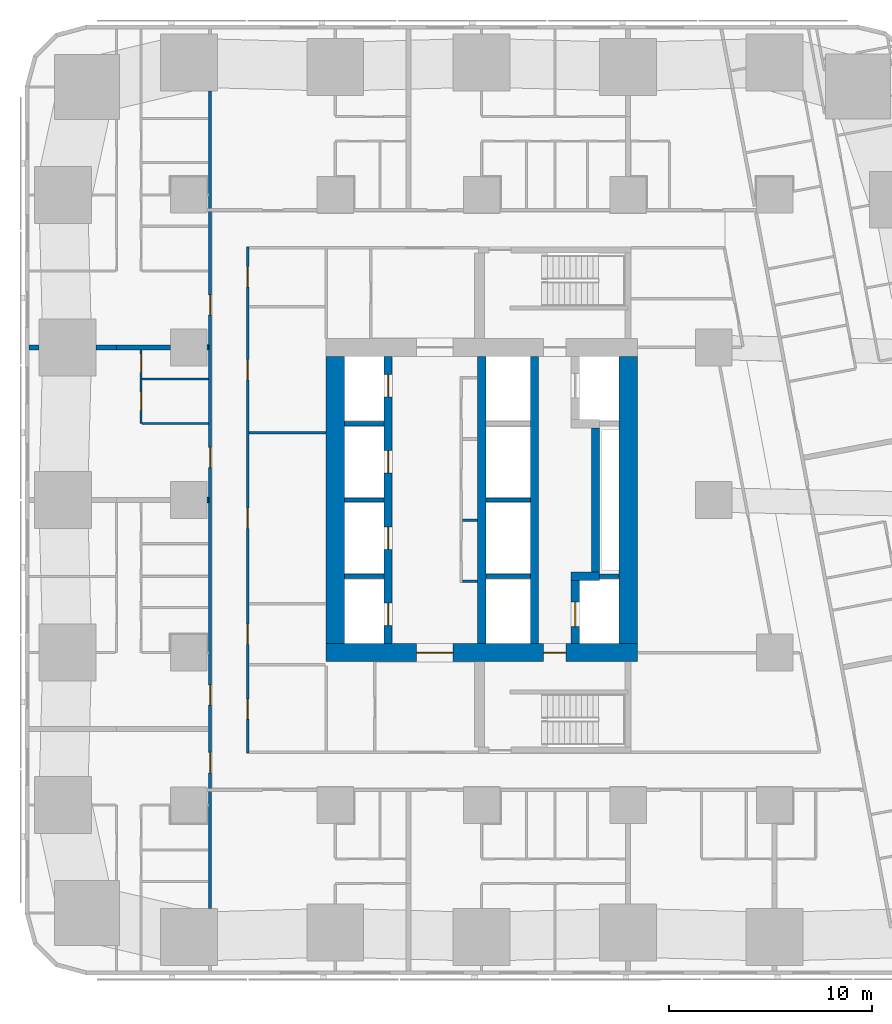
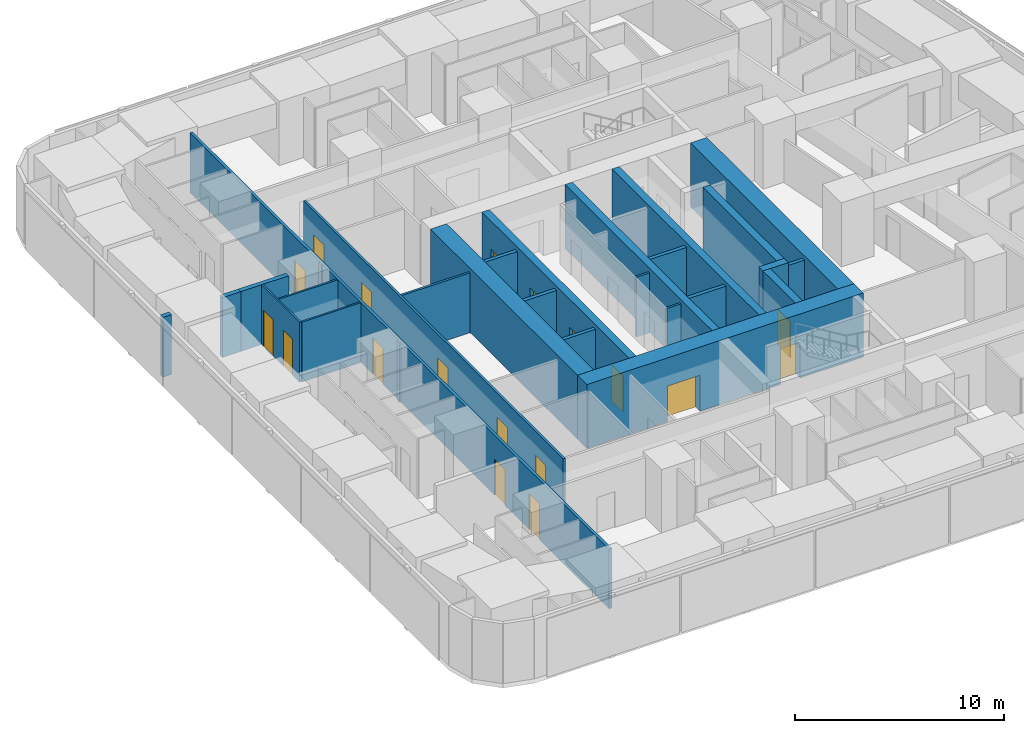
# One storey, part 6 of 16: 28 walls, 18 doors, 18 openings.
"""IFC4 building model written with IfcOpenShell, lengths in metres."""

from ifc_helpers import new_model, si_unit, direction, frame, frame_2d, origin, place, context, subcontext, project, spatial, rectangle, extrude, material, layer, layer_set, type_object, element, fill, save


model = new_model("IFC4")

# Units and contexts
model_context = context("Model", 3, precision=1e-05, world=origin(), true_north=direction((0.0, 1.0)))
body_context = subcontext(model_context, "Body", "Model", "MODEL_VIEW")
ifc_project = project(units=[si_unit("LENGTHUNIT", "METRE"), si_unit("AREAUNIT", "SQUARE_METRE"), si_unit("VOLUMEUNIT", "CUBIC_METRE"), si_unit("PLANEANGLEUNIT", "RADIAN"), si_unit("MASSUNIT", "GRAM", prefix="KILO")], contexts=[model_context])

# Site, building, storey
site_placement = place(None, origin())
site = spatial("IfcSite", under=ifc_project, at=site_placement, CompositionType="ELEMENT")
building_placement = place(site_placement, origin())
building = spatial("IfcBuilding", under=site, at=building_placement, Name="Sheger Commons Tower", CompositionType="ELEMENT")
storey_placement = place(building_placement, frame((0.0, 0.0, 61.25)))
storey = spatial("IfcBuildingStorey", under=building, at=storey_placement, Name="L15", CompositionType="ELEMENT", Elevation=61.25)

# Wall, openings, doors
ifc_material_1 = material(Name="Concrete C50/60", Category="concrete")
ifc_layer_1 = layer(ifc_material_1, 0.39990234375)
ifc_layer_set_1 = layer_set([ifc_layer_1], Name="CORE INNER WALL 400")
wall_type_1 = type_object("IfcWallType", Name="CORE INNER WALL 400", PredefinedType="SHEAR", material=ifc_layer_set_1)
wall_1_placement = place(storey_placement, frame((17.0, 15.449951171875, 0.0), z_axis=(0.0, 0.0, 1.0), x_axis=(0.0, 1.0, 0.0)))
wall_1 = element("IfcWall", 1, at=wall_1_placement, inside=storey, type_object=wall_type_1, Name="Core inner wall A L15", PredefinedType="SHEAR", context=body_context, shape_type="SweptSolid", body=[
    extrude(rectangle(XDim=14.10009765625, YDim=0.39990234375, at=frame_2d((7.050048828125, 0.0))), origin(), (0.0, 0.0, 1.0), 3.75),
])
opening_1_placement = place(wall_1_placement, frame((0.875, 0.0, 0.0)))
opening_1 = element("IfcOpeningElement", 2, at=opening_1_placement, cuts=wall_1, Name="Opening LD", PredefinedType="OPENING", context=body_context, shape_type="SweptSolid", body=[
    extrude(rectangle(XDim=1.10009765625, YDim=2.10009765625, at=frame_2d((0.550048828125, 1.050048828125))), frame((0.0, 0.2099609375, 0.0), z_axis=(0.0, -1.0, 0.0), x_axis=(1.0, 0.0, 0.0)), (0.0, 0.0, 1.0), 0.419921875),
])
opening_2_placement = place(wall_1_placement, frame((4.625, 0.0, 0.0)))
opening_2 = element("IfcOpeningElement", 3, at=opening_2_placement, cuts=wall_1, Name="Opening LD", PredefinedType="OPENING", context=body_context, shape_type="SweptSolid", body=[
    extrude(rectangle(XDim=1.10009765625, YDim=2.10009765625, at=frame_2d((0.550048828125, 1.050048828125))), frame((0.0, 0.2099609375, 0.0), z_axis=(0.0, -1.0, 0.0), x_axis=(1.0, 0.0, 0.0)), (0.0, 0.0, 1.0), 0.419921875),
])
opening_3_placement = place(wall_1_placement, frame((8.375, 0.0, 0.0)))
opening_3 = element("IfcOpeningElement", 4, at=opening_3_placement, cuts=wall_1, Name="Opening LD", PredefinedType="OPENING", context=body_context, shape_type="SweptSolid", body=[
    extrude(rectangle(XDim=1.10009765625, YDim=2.10009765625, at=frame_2d((0.550048828125, 1.050048828125))), frame((0.0, 0.2099609375, 0.0), z_axis=(0.0, -1.0, 0.0), x_axis=(1.0, 0.0, 0.0)), (0.0, 0.0, 1.0), 0.419921875),
])
opening_4_placement = place(wall_1_placement, frame((12.125, 0.0, 0.0)))
opening_4 = element("IfcOpeningElement", 5, at=opening_4_placement, cuts=wall_1, Name="Opening LD", PredefinedType="OPENING", context=body_context, shape_type="SweptSolid", body=[
    extrude(rectangle(XDim=1.10009765625, YDim=2.10009765625, at=frame_2d((0.550048828125, 1.050048828125))), frame((0.0, 0.2099609375, 0.0), z_axis=(0.0, -1.0, 0.0), x_axis=(1.0, 0.0, 0.0)), (0.0, 0.0, 1.0), 0.419921875),
])
ifc_material_2 = material(Name="Steel door set, fire rated", Category="steel")
door_type_1 = type_object("IfcDoorType", Name="LIFT LANDING DOOR 1100x2100", OperationType="DOUBLE_DOOR_SLIDING", PredefinedType="DOOR", material=ifc_material_2)
door_1_placement = place(opening_1_placement, origin())
door_1 = element("IfcDoor", 6, at=door_1_placement, inside=storey, type_object=door_type_1, Name="Lift LA1 landing door", OperationType="DOUBLE_DOOR_SLIDING", OverallHeight=2.10009765625, OverallWidth=1.10009765625, PredefinedType="DOOR", context=body_context, shape_type="SweptSolid", body=[
    extrude(rectangle(XDim=1.10009765625, YDim=2.10009765625, at=frame_2d((0.550048828125, 1.050048828125))), frame((0.0, 0.02490234375, 0.0), z_axis=(0.0, -1.0, 0.0), x_axis=(1.0, 0.0, 0.0)), (0.0, 0.0, 1.0), 0.050048828125),
])
fill(opening_1, door_1)
door_2_placement = place(opening_2_placement, origin())
door_2 = element("IfcDoor", 7, at=door_2_placement, inside=storey, type_object=door_type_1, Name="Lift LA2 landing door", OperationType="DOUBLE_DOOR_SLIDING", OverallHeight=2.10009765625, OverallWidth=1.10009765625, PredefinedType="DOOR", context=body_context, shape_type="SweptSolid", body=[
    extrude(rectangle(XDim=1.10009765625, YDim=2.10009765625, at=frame_2d((0.550048828125, 1.050048828125))), frame((0.0, 0.02490234375, 0.0), z_axis=(0.0, -1.0, 0.0), x_axis=(1.0, 0.0, 0.0)), (0.0, 0.0, 1.0), 0.050048828125),
])
fill(opening_2, door_2)
door_3_placement = place(opening_3_placement, origin())
door_3 = element("IfcDoor", 8, at=door_3_placement, inside=storey, type_object=door_type_1, Name="Lift LA3 landing door", OperationType="DOUBLE_DOOR_SLIDING", OverallHeight=2.10009765625, OverallWidth=1.10009765625, PredefinedType="DOOR", context=body_context, shape_type="SweptSolid", body=[
    extrude(rectangle(XDim=1.10009765625, YDim=2.10009765625, at=frame_2d((0.550048828125, 1.050048828125))), frame((0.0, 0.02490234375, 0.0), z_axis=(0.0, -1.0, 0.0), x_axis=(1.0, 0.0, 0.0)), (0.0, 0.0, 1.0), 0.050048828125),
])
fill(opening_3, door_3)
door_4_placement = place(opening_4_placement, origin())
door_4 = element("IfcDoor", 9, at=door_4_placement, inside=storey, type_object=door_type_1, Name="Lift LA4 landing door", OperationType="DOUBLE_DOOR_SLIDING", OverallHeight=2.10009765625, OverallWidth=1.10009765625, PredefinedType="DOOR", context=body_context, shape_type="SweptSolid", body=[
    extrude(rectangle(XDim=1.10009765625, YDim=2.10009765625, at=frame_2d((0.550048828125, 1.050048828125))), frame((0.0, 0.02490234375, 0.0), z_axis=(0.0, -1.0, 0.0), x_axis=(1.0, 0.0, 0.0)), (0.0, 0.0, 1.0), 0.050048828125),
])
fill(opening_4, door_4)

# Walls
for number, where, z_axis, x_axis, name in (
    (10, (21.60009765625, 15.449951171875, 0.0), (0.0, 0.0, 1.0), (0.0, 1.0, 0.0), "Core inner wall L L15"),
    (11, (24.199951171875, 15.449951171875, 0.0), (0.0, 0.0, 1.0), (0.0, 1.0, 0.0), "Core inner wall B L15"),
):
    element("IfcWall", number, at=place(storey_placement, frame(where, z_axis=z_axis, x_axis=x_axis)), inside=storey, type_object=wall_type_1, Name=name, PredefinedType="SHEAR", context=body_context, shape_type="SweptSolid", body=[
        extrude(rectangle(XDim=14.10009765625, YDim=0.39990234375, at=frame_2d((7.050048828125, 0.0))), origin(), (0.0, 0.0, 1.0), 3.75),
    ])

# Wall, opening, door
wall_2_placement = place(storey_placement, frame((26.199951171875, 15.449951171875, 0.0), z_axis=(0.0, 0.0, 1.0), x_axis=(0.0, 1.0, 0.0)))
wall_2 = element("IfcWall", 12, at=wall_2_placement, inside=storey, type_object=wall_type_1, Name="Core inner wall F L15", PredefinedType="SHEAR", context=body_context, shape_type="SweptSolid", body=[
    extrude(rectangle(XDim=3.10009765625, YDim=0.39990234375, at=frame_2d((1.550048828125, 0.0))), origin(), (0.0, 0.0, 1.0), 3.75),
])
opening_5_placement = place(wall_2_placement, frame((0.824951171875, 0.0, 0.0)))
opening_5 = element("IfcOpeningElement", 13, at=opening_5_placement, cuts=wall_2, Name="Opening LD2", PredefinedType="OPENING", context=body_context, shape_type="SweptSolid", body=[
    extrude(rectangle(XDim=1.199951171875, YDim=2.10009765625, at=frame_2d((0.60009765625, 1.050048828125))), frame((0.0, 0.2099609375, 0.0), z_axis=(0.0, -1.0, 0.0), x_axis=(1.0, 0.0, 0.0)), (0.0, 0.0, 1.0), 0.419921875),
])
ifc_material_3 = material(Name="Steel door set, fire rated", Category="steel")
door_type_2 = type_object("IfcDoorType", Name="FIREFIGHTING LIFT LANDING DOOR 1200x2100", OperationType="DOUBLE_DOOR_SLIDING", PredefinedType="DOOR", material=ifc_material_3)
door_5_placement = place(opening_5_placement, origin())
door_5 = element("IfcDoor", 14, at=door_5_placement, inside=storey, type_object=door_type_2, Name="Lift FL1 landing door", OperationType="DOUBLE_DOOR_SLIDING", OverallHeight=2.10009765625, OverallWidth=1.199951171875, PredefinedType="DOOR", context=body_context, shape_type="SweptSolid", body=[
    extrude(rectangle(XDim=1.199951171875, YDim=2.10009765625, at=frame_2d((0.60009765625, 1.050048828125))), frame((0.0, 0.02490234375, 0.0), z_axis=(0.0, -1.0, 0.0), x_axis=(1.0, 0.0, 0.0)), (0.0, 0.0, 1.0), 0.050048828125),
])
fill(opening_5, door_5)

# Walls
wall_3_placement = place(storey_placement, frame((26.0, 18.75, 0.0), z_axis=(0.0, 0.0, 1.0), x_axis=(1.0, 0.0, 0.0)))
element("IfcWall", 15, at=wall_3_placement, inside=storey, type_object=wall_type_1, Name="Core inner wall F south return L15", PredefinedType="SHEAR", context=body_context, shape_type="SweptSolid", body=[
    extrude(rectangle(XDim=1.39990234375, YDim=0.39990234375, at=frame_2d((0.699951171875, 0.0))), origin(), (0.0, 0.0, 1.0), 3.75),
])
wall_4_placement = place(storey_placement, frame((27.199951171875, 18.949951171875, 0.0), z_axis=(0.0, 0.0, 1.0), x_axis=(0.0, 1.0, 0.0)))
element("IfcWall", 16, at=wall_4_placement, inside=storey, type_object=wall_type_1, Name="Core inner wall F middle L15", PredefinedType="SHEAR", context=body_context, shape_type="SweptSolid", body=[
    extrude(rectangle(XDim=7.10009765625, YDim=0.39990234375, at=frame_2d((3.550048828125, 0.0))), origin(), (0.0, 0.0, 1.0), 3.75),
])

# Wall, openings, doors
ifc_material_4 = material(Name="Concrete C50/60", Category="concrete")
ifc_layer_2 = layer(ifc_material_4, 0.89990234375)
ifc_layer_set_2 = layer_set([ifc_layer_2], Name="CORE WALL 900")
wall_type_2 = type_object("IfcWallType", Name="CORE WALL 900", PredefinedType="SHEAR", material=ifc_layer_set_2)
wall_5_placement = place(storey_placement, frame((13.949951171875, 15.0, 0.0), z_axis=(0.0, 0.0, 1.0), x_axis=(1.0, 0.0, 0.0)))
wall_5 = element("IfcWall", 17, at=wall_5_placement, inside=storey, type_object=wall_type_2, Name="Core wall south L15", PredefinedType="SHEAR", context=body_context, shape_type="SweptSolid", body=[
    extrude(rectangle(XDim=15.300048828125, YDim=0.89990234375, at=frame_2d((7.64990234375, 0.0))), origin(), (0.0, 0.0, 1.0), 3.75),
])
opening_6_placement = place(wall_5_placement, frame((4.449951171875, 0.0, 0.0)))
opening_6 = element("IfcOpeningElement", 18, at=opening_6_placement, cuts=wall_5, Name="Opening D6", PredefinedType="OPENING", context=body_context, shape_type="SweptSolid", body=[
    extrude(rectangle(XDim=1.800048828125, YDim=2.10009765625, at=frame_2d((0.89990234375, 1.050048828125))), frame((0.0, 0.4599609375, 0.0), z_axis=(0.0, -1.0, 0.0), x_axis=(1.0, 0.0, 0.0)), (0.0, 0.0, 1.0), 0.919921875),
])
opening_7_placement = place(wall_5_placement, frame((10.699951171875, 0.0, 0.0)))
opening_7 = element("IfcOpeningElement", 19, at=opening_7_placement, cuts=wall_5, Name="Opening D5", PredefinedType="OPENING", context=body_context, shape_type="SweptSolid", body=[
    extrude(rectangle(XDim=1.10009765625, YDim=2.10009765625, at=frame_2d((0.550048828125, 1.050048828125))), frame((0.0, 0.4599609375, 0.0), z_axis=(0.0, -1.0, 0.0), x_axis=(1.0, 0.0, 0.0)), (0.0, 0.0, 1.0), 0.919921875),
])
ifc_material_5 = material(Name="Steel door set, fire rated", Category="steel")
door_type_3 = type_object("IfcDoorType", Name="LOBBY DOUBLE DOOR 1800x2100", OperationType="DOUBLE_DOOR_SINGLE_SWING", PredefinedType="DOOR", material=ifc_material_5)
door_6_placement = place(opening_6_placement, origin())
door_6 = element("IfcDoor", 20, at=door_6_placement, inside=storey, type_object=door_type_3, Name="Lift lobby door", OperationType="DOUBLE_DOOR_SINGLE_SWING", OverallHeight=2.10009765625, OverallWidth=1.800048828125, PredefinedType="DOOR", context=body_context, shape_type="SweptSolid", body=[
    extrude(rectangle(XDim=1.800048828125, YDim=2.10009765625, at=frame_2d((0.89990234375, 1.050048828125))), frame((0.0, 0.02490234375, 0.0), z_axis=(0.0, -1.0, 0.0), x_axis=(1.0, 0.0, 0.0)), (0.0, 0.0, 1.0), 0.050048828125),
])
fill(opening_6, door_6)
ifc_material_6 = material(Name="Steel door set, fire rated", Category="steel")
door_type_4 = type_object("IfcDoorType", Name="STAIR DOOR 1100x2100", OperationType="NOTDEFINED", PredefinedType="DOOR", material=ifc_material_6)
door_7_placement = place(opening_7_placement, origin())
door_7 = element("IfcDoor", 21, at=door_7_placement, inside=storey, type_object=door_type_4, Name="Fire-fighting lobby door", OperationType="SINGLE_SWING_LEFT", OverallHeight=2.10009765625, OverallWidth=1.10009765625, PredefinedType="DOOR", context=body_context, shape_type="SweptSolid", body=[
    extrude(rectangle(XDim=1.10009765625, YDim=2.10009765625, at=frame_2d((0.550048828125, 1.050048828125))), frame((0.0, 0.02490234375, 0.0), z_axis=(0.0, -1.0, 0.0), x_axis=(1.0, 0.0, 0.0)), (0.0, 0.0, 1.0), 0.050048828125),
])
fill(opening_7, door_7)

# Walls
for number, where, z_axis, x_axis, name in (
    (22, (14.39990234375, 15.449951171875, 0.0), (0.0, 0.0, 1.0), (0.0, 1.0, 0.0), "Core wall west L15"),
    (23, (28.800048828125, 15.449951171875, 0.0), (0.0, 0.0, 1.0), (0.0, 1.0, 0.0), "Core wall east L15"),
):
    element("IfcWall", number, at=place(storey_placement, frame(where, z_axis=z_axis, x_axis=x_axis)), inside=storey, type_object=wall_type_2, Name=name, PredefinedType="SHEAR", context=body_context, shape_type="SweptSolid", body=[
        extrude(rectangle(XDim=14.10009765625, YDim=0.89990234375, at=frame_2d((7.050048828125, 0.0))), origin(), (0.0, 0.0, 1.0), 3.75),
    ])

# Wall, openings, doors
ifc_material_7 = material(Name="Hollow concrete block masonry, skimmed both sides", Category="masonry")
ifc_layer_3 = layer(ifc_material_7, 0.14990234375)
ifc_layer_set_3 = layer_set([ifc_layer_3], Name="CORRIDOR WALL 150")
wall_type_3 = type_object("IfcWallType", Name="CORRIDOR WALL 150", PredefinedType="SOLIDWALL", material=ifc_layer_set_3)
wall_6_placement = place(storey_placement, frame((8.25, 2.426025390625, 0.0), z_axis=(0.0, 0.0, 1.0), x_axis=(0.0, 1.0, 0.0)))
wall_6 = element("IfcWall", 24, at=wall_6_placement, inside=storey, type_object=wall_type_3, Name="Corridor wall L15", PredefinedType="SOLIDWALL", context=body_context, shape_type="SweptSolid", body=[
    extrude(rectangle(XDim=40.173095703125, YDim=0.14990234375, at=frame_2d((20.08642578125, 0.0))), origin(), (0.0, 0.0, 1.0), 3.5),
])
opening_8_placement = place(wall_6_placement, frame((6.660888671875, 0.0, 0.0)))
opening_8 = element("IfcOpeningElement", 25, at=opening_8_placement, cuts=wall_6, Name="Opening D1", PredefinedType="OPENING", context=body_context, shape_type="SweptSolid", body=[
    extrude(rectangle(XDim=1.0, YDim=2.10009765625, at=frame_2d((0.5, 1.050048828125))), frame((0.0, 0.0849609375, 0.0), z_axis=(0.0, -1.0, 0.0), x_axis=(1.0, 0.0, 0.0)), (0.0, 0.0, 1.0), 0.169921875),
])
opening_9_placement = place(wall_6_placement, frame((9.986083984375, 0.0, 0.0)))
opening_9 = element("IfcOpeningElement", 26, at=opening_9_placement, cuts=wall_6, Name="Opening D1", PredefinedType="OPENING", context=body_context, shape_type="SweptSolid", body=[
    extrude(rectangle(XDim=1.0, YDim=2.10009765625, at=frame_2d((0.5, 1.050048828125))), frame((0.0, 0.0849609375, 0.0), z_axis=(0.0, -1.0, 0.0), x_axis=(1.0, 0.0, 0.0)), (0.0, 0.0, 1.0), 0.169921875),
])
opening_10_placement = place(wall_6_placement, frame((21.662109375, 0.0, 0.0)))
opening_10 = element("IfcOpeningElement", 27, at=opening_10_placement, cuts=wall_6, Name="Opening D1", PredefinedType="OPENING", context=body_context, shape_type="SweptSolid", body=[
    extrude(rectangle(XDim=1.0, YDim=2.10009765625, at=frame_2d((0.5, 1.050048828125))), frame((0.0, 0.0849609375, 0.0), z_axis=(0.0, -1.0, 0.0), x_axis=(1.0, 0.0, 0.0)), (0.0, 0.0, 1.0), 0.169921875),
])
opening_11_placement = place(wall_6_placement, frame((29.160888671875, 0.0, 0.0)))
opening_11 = element("IfcOpeningElement", 28, at=opening_11_placement, cuts=wall_6, Name="Opening D1", PredefinedType="OPENING", context=body_context, shape_type="SweptSolid", body=[
    extrude(rectangle(XDim=1.0, YDim=2.10009765625, at=frame_2d((0.5, 1.050048828125))), frame((0.0, 0.0849609375, 0.0), z_axis=(0.0, -1.0, 0.0), x_axis=(1.0, 0.0, 0.0)), (0.0, 0.0, 1.0), 0.169921875),
])
ifc_material_8 = material(Name="Steel door set, fire rated", Category="steel")
door_type_5 = type_object("IfcDoorType", Name="FLAT ENTRANCE DOOR 1000x2100", OperationType="NOTDEFINED", PredefinedType="DOOR", material=ifc_material_8)
door_8_placement = place(opening_8_placement, origin())
door_8 = element("IfcDoor", 29, at=door_8_placement, inside=storey, type_object=door_type_5, Name="Flat entrance door", OperationType="SINGLE_SWING_RIGHT", OverallHeight=2.10009765625, OverallWidth=1.0, PredefinedType="DOOR", context=body_context, shape_type="SweptSolid", body=[
    extrude(rectangle(XDim=1.0, YDim=2.10009765625, at=frame_2d((0.5, 1.050048828125))), frame((0.0, 0.02490234375, 0.0), z_axis=(0.0, -1.0, 0.0), x_axis=(1.0, 0.0, 0.0)), (0.0, 0.0, 1.0), 0.050048828125),
])
fill(opening_8, door_8)
door_9_placement = place(opening_9_placement, origin())
door_9 = element("IfcDoor", 30, at=door_9_placement, inside=storey, type_object=door_type_5, Name="Flat entrance door", OperationType="SINGLE_SWING_LEFT", OverallHeight=2.10009765625, OverallWidth=1.0, PredefinedType="DOOR", context=body_context, shape_type="SweptSolid", body=[
    extrude(rectangle(XDim=1.0, YDim=2.10009765625, at=frame_2d((0.5, 1.050048828125))), frame((0.0, 0.02490234375, 0.0), z_axis=(0.0, -1.0, 0.0), x_axis=(1.0, 0.0, 0.0)), (0.0, 0.0, 1.0), 0.050048828125),
])
fill(opening_9, door_9)
door_10_placement = place(opening_10_placement, origin())
door_10 = element("IfcDoor", 31, at=door_10_placement, inside=storey, type_object=door_type_5, Name="Flat entrance door", OperationType="SINGLE_SWING_RIGHT", OverallHeight=2.10009765625, OverallWidth=1.0, PredefinedType="DOOR", context=body_context, shape_type="SweptSolid", body=[
    extrude(rectangle(XDim=1.0, YDim=2.10009765625, at=frame_2d((0.5, 1.050048828125))), frame((0.0, 0.02490234375, 0.0), z_axis=(0.0, -1.0, 0.0), x_axis=(1.0, 0.0, 0.0)), (0.0, 0.0, 1.0), 0.050048828125),
])
fill(opening_10, door_10)
door_11_placement = place(opening_11_placement, origin())
door_11 = element("IfcDoor", 32, at=door_11_placement, inside=storey, type_object=door_type_5, Name="Flat entrance door", OperationType="SINGLE_SWING_RIGHT", OverallHeight=2.10009765625, OverallWidth=1.0, PredefinedType="DOOR", context=body_context, shape_type="SweptSolid", body=[
    extrude(rectangle(XDim=1.0, YDim=2.10009765625, at=frame_2d((0.5, 1.050048828125))), frame((0.0, 0.02490234375, 0.0), z_axis=(0.0, -1.0, 0.0), x_axis=(1.0, 0.0, 0.0)), (0.0, 0.0, 1.0), 0.050048828125),
])
fill(opening_11, door_11)

# Walls
ifc_material_9 = material(Name="Dense concrete block masonry, plastered both sides (separating wall between flats)", Category="masonry")
ifc_layer_4 = layer(ifc_material_9, 0.25)
ifc_layer_set_4 = layer_set([ifc_layer_4], Name="DEMISING WALL 250")
wall_type_4 = type_object("IfcWallType", Name="DEMISING WALL 250", PredefinedType="SOLIDWALL", material=ifc_layer_set_4)
wall_7_placement = place(storey_placement, frame((8.10107421875, 22.5, 0.0), z_axis=(0.0, 0.0, 1.0), x_axis=(1.0, 0.0, 0.0)))
element("IfcWall", 33, at=wall_7_placement, inside=storey, type_object=wall_type_4, Name="Demising wall L15", PredefinedType="SOLIDWALL", context=body_context, shape_type="SweptSolid", body=[
    extrude(rectangle(XDim=0.073974609375, YDim=0.25, at=frame_2d((0.037109375, 0.0))), origin(), (0.0, 0.0, 1.0), 3.5),
])
wall_8_placement = place(storey_placement, frame((-0.64990234375, 30.0, 0.0), z_axis=(0.0, 0.0, 1.0), x_axis=(1.0, 0.0, 0.0)))
element("IfcWall", 34, at=wall_8_placement, inside=storey, type_object=wall_type_4, Name="Demising wall L15", PredefinedType="SOLIDWALL", context=body_context, shape_type="SweptSolid", body=[
    extrude(rectangle(XDim=0.473876953125, YDim=0.25, at=frame_2d((0.23681640625, 0.0))), origin(), (0.0, 0.0, 1.0), 3.5),
])
wall_9_placement = place(storey_placement, frame((2.6259765625, 30.0, 0.0), z_axis=(0.0, 0.0, 1.0), x_axis=(1.0, 0.0, 0.0)))
element("IfcWall", 35, at=wall_9_placement, inside=storey, type_object=wall_type_4, Name="Demising wall L15", PredefinedType="SOLIDWALL", context=body_context, shape_type="SweptSolid", body=[
    extrude(rectangle(XDim=1.02392578125, YDim=0.25, at=frame_2d((0.511962890625, 0.0))), origin(), (0.0, 0.0, 1.0), 3.5),
])
wall_10_placement = place(storey_placement, frame((3.64990234375, 30.0, 0.0), z_axis=(0.0, 0.0, 1.0), x_axis=(1.0, 0.0, 0.0)))
element("IfcWall", 36, at=wall_10_placement, inside=storey, type_object=wall_type_4, Name="Demising wall L15", PredefinedType="SOLIDWALL", context=body_context, shape_type="SweptSolid", body=[
    extrude(rectangle(XDim=2.649169921875, YDim=0.25, at=frame_2d((1.32470703125, 0.0))), origin(), (0.0, 0.0, 1.0), 3.5),
])
wall_11_placement = place(storey_placement, frame((8.10107421875, 30.0, 0.0), z_axis=(0.0, 0.0, 1.0), x_axis=(1.0, 0.0, 0.0)))
element("IfcWall", 37, at=wall_11_placement, inside=storey, type_object=wall_type_4, Name="Demising wall L15", PredefinedType="SOLIDWALL", context=body_context, shape_type="SweptSolid", body=[
    extrude(rectangle(XDim=0.073974609375, YDim=0.25, at=frame_2d((0.037109375, 0.0))), origin(), (0.0, 0.0, 1.0), 3.5),
])

# Wall, openings, doors
ifc_material_10 = material(Name="Gypsum board on steel studs", Category="steel")
ifc_layer_5 = layer(ifc_material_10, 0.10009765625)
ifc_layer_set_5 = layer_set([ifc_layer_5], Name="PARTITION 100")
wall_type_5 = type_object("IfcWallType", Name="PARTITION 100", PredefinedType="PARTITIONING", material=ifc_layer_set_5)
wall_12_placement = place(storey_placement, frame((4.85009765625, 26.25, 0.0), z_axis=(0.0, 0.0, 1.0), x_axis=(0.0, 1.0, 0.0)))
wall_12 = element("IfcWall", 38, at=wall_12_placement, inside=storey, type_object=wall_type_5, Name="Partition L15", PredefinedType="PARTITIONING", context=body_context, shape_type="SweptSolid", body=[
    extrude(rectangle(XDim=3.625, YDim=0.10009765625, at=frame_2d((1.8125, 0.0))), origin(), (0.0, 0.0, 1.0), 3.5),
])
opening_12_placement = place(wall_12_placement, frame((0.655029296875, 0.0, 0.0)))
opening_12 = element("IfcOpeningElement", 39, at=opening_12_placement, cuts=wall_12, Name="Opening D2", PredefinedType="OPENING", context=body_context, shape_type="SweptSolid", body=[
    extrude(rectangle(XDim=0.89990234375, YDim=2.10009765625, at=frame_2d((0.449951171875, 1.050048828125))), frame((0.0, 0.06005859375, 0.0), z_axis=(0.0, -1.0, 0.0), x_axis=(1.0, 0.0, 0.0)), (0.0, 0.0, 1.0), 0.1201171875),
])
opening_13_placement = place(wall_12_placement, frame((2.530029296875, 0.0, 0.0)))
opening_13 = element("IfcOpeningElement", 40, at=opening_13_placement, cuts=wall_12, Name="Opening D2", PredefinedType="OPENING", context=body_context, shape_type="SweptSolid", body=[
    extrude(rectangle(XDim=0.89990234375, YDim=2.10009765625, at=frame_2d((0.449951171875, 1.050048828125))), frame((0.0, 0.06005859375, 0.0), z_axis=(0.0, -1.0, 0.0), x_axis=(1.0, 0.0, 0.0)), (0.0, 0.0, 1.0), 0.1201171875),
])
ifc_material_11 = material(Name="Timber door set", Category="wood")
door_type_6 = type_object("IfcDoorType", Name="INTERNAL DOOR 900x2100", OperationType="NOTDEFINED", PredefinedType="DOOR", material=ifc_material_11)
door_12_placement = place(opening_12_placement, origin())
door_12 = element("IfcDoor", 41, at=door_12_placement, inside=storey, type_object=door_type_6, Name="Bathroom door", OperationType="SINGLE_SWING_RIGHT", OverallHeight=2.10009765625, OverallWidth=0.89990234375, PredefinedType="DOOR", context=body_context, shape_type="SweptSolid", body=[
    extrude(rectangle(XDim=0.89990234375, YDim=2.10009765625, at=frame_2d((0.449951171875, 1.050048828125))), frame((0.0, 0.02490234375, 0.0), z_axis=(0.0, -1.0, 0.0), x_axis=(1.0, 0.0, 0.0)), (0.0, 0.0, 1.0), 0.050048828125),
])
fill(opening_12, door_12)
door_13_placement = place(opening_13_placement, origin())
door_13 = element("IfcDoor", 42, at=door_13_placement, inside=storey, type_object=door_type_6, Name="Store door", OperationType="SINGLE_SWING_LEFT", OverallHeight=2.10009765625, OverallWidth=0.89990234375, PredefinedType="DOOR", context=body_context, shape_type="SweptSolid", body=[
    extrude(rectangle(XDim=0.89990234375, YDim=2.10009765625, at=frame_2d((0.449951171875, 1.050048828125))), frame((0.0, 0.02490234375, 0.0), z_axis=(0.0, -1.0, 0.0), x_axis=(1.0, 0.0, 0.0)), (0.0, 0.0, 1.0), 0.050048828125),
])
fill(opening_13, door_13)

# Walls
for number, where, z_axis, x_axis, name in (
    (43, (4.89990234375, 26.25, 0.0), (0.0, 0.0, 1.0), (1.0, 0.0, 0.0), "Partition L15"),
    (44, (4.89990234375, 28.4599609375, 0.0), (0.0, 0.0, 1.0), (1.0, 0.0, 0.0), "Partition L15"),
):
    element("IfcWall", number, at=place(storey_placement, frame(where, z_axis=z_axis, x_axis=x_axis)), inside=storey, type_object=wall_type_5, Name=name, PredefinedType="PARTITIONING", context=body_context, shape_type="SweptSolid", body=[
        extrude(rectangle(XDim=3.275146484375, YDim=0.10009765625, at=frame_2d((1.6376953125, 0.0))), origin(), (0.0, 0.0, 1.0), 3.5),
    ])

# Wall, openings, doors
ifc_material_12 = material(Name="Gypsum board on steel studs, two layers each side, fire rated", Category="steel")
ifc_layer_6 = layer(ifc_material_12, 0.125)
ifc_layer_set_6 = layer_set([ifc_layer_6], Name="SERVICE WALL 125")
wall_type_6 = type_object("IfcWallType", Name="SERVICE WALL 125", PredefinedType="PARTITIONING", material=ifc_layer_set_6)
wall_13_placement = place(storey_placement, frame((10.10009765625, 10.050048828125, 0.0), z_axis=(0.0, 0.0, 1.0), x_axis=(0.0, 1.0, 0.0)))
wall_13 = element("IfcWall", 45, at=wall_13_placement, inside=storey, type_object=wall_type_6, Name="Service room wall L15", PredefinedType="PARTITIONING", context=body_context, shape_type="SweptSolid", body=[
    extrude(rectangle(XDim=24.89990234375, YDim=0.125, at=frame_2d((12.449951171875, 0.0))), origin(), (0.0, 0.0, 1.0), 3.5),
])
opening_14_placement = place(wall_13_placement, frame((1.675048828125, 0.0, 0.0)))
opening_14 = element("IfcOpeningElement", 46, at=opening_14_placement, cuts=wall_13, Name="Opening D4", PredefinedType="OPENING", context=body_context, shape_type="SweptSolid", body=[
    extrude(rectangle(XDim=1.0, YDim=2.10009765625, at=frame_2d((0.5, 1.050048828125))), frame((0.0, 0.072509765625, 0.0), z_axis=(0.0, -1.0, 0.0), x_axis=(1.0, 0.0, 0.0)), (0.0, 0.0, 1.0), 0.14501953125),
])
opening_15_placement = place(wall_13_placement, frame((5.35009765625, 0.0, 0.0)))
opening_15 = element("IfcOpeningElement", 47, at=opening_15_placement, cuts=wall_13, Name="Opening D4", PredefinedType="OPENING", context=body_context, shape_type="SweptSolid", body=[
    extrude(rectangle(XDim=1.0, YDim=2.10009765625, at=frame_2d((0.5, 1.050048828125))), frame((0.0, 0.072509765625, 0.0), z_axis=(0.0, -1.0, 0.0), x_axis=(1.0, 0.0, 0.0)), (0.0, 0.0, 1.0), 0.14501953125),
])
opening_16_placement = place(wall_13_placement, frame((11.050048828125, 0.0, 0.0)))
opening_16 = element("IfcOpeningElement", 48, at=opening_16_placement, cuts=wall_13, Name="Opening D4", PredefinedType="OPENING", context=body_context, shape_type="SweptSolid", body=[
    extrude(rectangle(XDim=1.0, YDim=2.10009765625, at=frame_2d((0.5, 1.050048828125))), frame((0.0, 0.072509765625, 0.0), z_axis=(0.0, -1.0, 0.0), x_axis=(1.0, 0.0, 0.0)), (0.0, 0.0, 1.0), 0.14501953125),
])
opening_17_placement = place(wall_13_placement, frame((18.35009765625, 0.0, 0.0)))
opening_17 = element("IfcOpeningElement", 49, at=opening_17_placement, cuts=wall_13, Name="Opening D4", PredefinedType="OPENING", context=body_context, shape_type="SweptSolid", body=[
    extrude(rectangle(XDim=1.0, YDim=2.10009765625, at=frame_2d((0.5, 1.050048828125))), frame((0.0, 0.072509765625, 0.0), z_axis=(0.0, -1.0, 0.0), x_axis=(1.0, 0.0, 0.0)), (0.0, 0.0, 1.0), 0.14501953125),
])
opening_18_placement = place(wall_13_placement, frame((22.925048828125, 0.0, 0.0)))
opening_18 = element("IfcOpeningElement", 50, at=opening_18_placement, cuts=wall_13, Name="Opening D4", PredefinedType="OPENING", context=body_context, shape_type="SweptSolid", body=[
    extrude(rectangle(XDim=1.0, YDim=2.10009765625, at=frame_2d((0.5, 1.050048828125))), frame((0.0, 0.072509765625, 0.0), z_axis=(0.0, -1.0, 0.0), x_axis=(1.0, 0.0, 0.0)), (0.0, 0.0, 1.0), 0.14501953125),
])
ifc_material_13 = material(Name="Steel door set, fire rated", Category="steel")
door_type_7 = type_object("IfcDoorType", Name="SERVICE DOOR 1000x2100", OperationType="NOTDEFINED", PredefinedType="DOOR", material=ifc_material_13)
door_14_placement = place(opening_14_placement, origin())
door_14 = element("IfcDoor", 51, at=door_14_placement, inside=storey, type_object=door_type_7, Name="Refuse chute room door", OperationType="SINGLE_SWING_RIGHT", OverallHeight=2.10009765625, OverallWidth=1.0, PredefinedType="DOOR", context=body_context, shape_type="SweptSolid", body=[
    extrude(rectangle(XDim=1.0, YDim=2.10009765625, at=frame_2d((0.5, 1.050048828125))), frame((0.0, 0.02490234375, 0.0), z_axis=(0.0, -1.0, 0.0), x_axis=(1.0, 0.0, 0.0)), (0.0, 0.0, 1.0), 0.050048828125),
])
fill(opening_14, door_14)
door_15_placement = place(opening_15_placement, origin())
door_15 = element("IfcDoor", 52, at=door_15_placement, inside=storey, type_object=door_type_7, Name="Recycling room door", OperationType="SINGLE_SWING_RIGHT", OverallHeight=2.10009765625, OverallWidth=1.0, PredefinedType="DOOR", context=body_context, shape_type="SweptSolid", body=[
    extrude(rectangle(XDim=1.0, YDim=2.10009765625, at=frame_2d((0.5, 1.050048828125))), frame((0.0, 0.02490234375, 0.0), z_axis=(0.0, -1.0, 0.0), x_axis=(1.0, 0.0, 0.0)), (0.0, 0.0, 1.0), 0.050048828125),
])
fill(opening_15, door_15)
door_16_placement = place(opening_16_placement, origin())
door_16 = element("IfcDoor", 53, at=door_16_placement, inside=storey, type_object=door_type_7, Name="Children's play room door", OperationType="SINGLE_SWING_RIGHT", OverallHeight=2.10009765625, OverallWidth=1.0, PredefinedType="DOOR", context=body_context, shape_type="SweptSolid", body=[
    extrude(rectangle(XDim=1.0, YDim=2.10009765625, at=frame_2d((0.5, 1.050048828125))), frame((0.0, 0.02490234375, 0.0), z_axis=(0.0, -1.0, 0.0), x_axis=(1.0, 0.0, 0.0)), (0.0, 0.0, 1.0), 0.050048828125),
])
fill(opening_16, door_16)
door_17_placement = place(opening_17_placement, origin())
door_17 = element("IfcDoor", 54, at=door_17_placement, inside=storey, type_object=door_type_7, Name="Laundry and drying room door", OperationType="SINGLE_SWING_RIGHT", OverallHeight=2.10009765625, OverallWidth=1.0, PredefinedType="DOOR", context=body_context, shape_type="SweptSolid", body=[
    extrude(rectangle(XDim=1.0, YDim=2.10009765625, at=frame_2d((0.5, 1.050048828125))), frame((0.0, 0.02490234375, 0.0), z_axis=(0.0, -1.0, 0.0), x_axis=(1.0, 0.0, 0.0)), (0.0, 0.0, 1.0), 0.050048828125),
])
fill(opening_17, door_17)
door_18_placement = place(opening_18_placement, origin())
door_18 = element("IfcDoor", 55, at=door_18_placement, inside=storey, type_object=door_type_7, Name="Cleaner's store door", OperationType="SINGLE_SWING_LEFT", OverallHeight=2.10009765625, OverallWidth=1.0, PredefinedType="DOOR", context=body_context, shape_type="SweptSolid", body=[
    extrude(rectangle(XDim=1.0, YDim=2.10009765625, at=frame_2d((0.5, 1.050048828125))), frame((0.0, 0.02490234375, 0.0), z_axis=(0.0, -1.0, 0.0), x_axis=(1.0, 0.0, 0.0)), (0.0, 0.0, 1.0), 0.050048828125),
])
fill(opening_18, door_18)

# Walls
wall_14_placement = place(storey_placement, frame((10.1630859375, 25.800048828125, 0.0), z_axis=(0.0, 0.0, 1.0), x_axis=(1.0, 0.0, 0.0)))
element("IfcWall", 56, at=wall_14_placement, inside=storey, type_object=wall_type_6, Name="Service room wall L15", PredefinedType="PARTITIONING", context=body_context, shape_type="SweptSolid", body=[
    extrude(rectangle(XDim=3.786865234375, YDim=0.125, at=frame_2d((1.8935546875, 0.0))), origin(), (0.0, 0.0, 1.0), 3.5),
])
for number, where, z_axis, x_axis, name in (
    (57, (20.6630859375, 18.5, 0.0), (0.0, 0.0, 1.0), (1.0, 0.0, 0.0), "Service room wall L15"),
    (58, (20.6630859375, 21.5, 0.0), (0.0, 0.0, 1.0), (1.0, 0.0, 0.0), "Service room wall L15"),
):
    element("IfcWall", number, at=place(storey_placement, frame(where, z_axis=z_axis, x_axis=x_axis)), inside=storey, type_object=wall_type_6, Name=name, PredefinedType="PARTITIONING", context=body_context, shape_type="SweptSolid", body=[
        extrude(rectangle(XDim=0.73681640625, YDim=0.125, at=frame_2d((0.368408203125, 0.0))), origin(), (0.0, 0.0, 1.0), 3.5),
    ])
ifc_material_14 = material(Name="Hollow concrete block masonry", Category="masonry")
ifc_layer_7 = layer(ifc_material_14, 0.199951171875)
ifc_layer_set_7 = layer_set([ifc_layer_7], Name="SHAFT WALL 200")
wall_type_7 = type_object("IfcWallType", Name="SHAFT WALL 200", PredefinedType="SOLIDWALL", material=ifc_layer_set_7)
wall_15_placement = place(storey_placement, frame((14.85009765625, 18.75, 0.0), z_axis=(0.0, 0.0, 1.0), x_axis=(1.0, 0.0, 0.0)))
element("IfcWall", 59, at=wall_15_placement, inside=storey, type_object=wall_type_7, Name="Lift shaft wall L15", PredefinedType="SOLIDWALL", context=body_context, shape_type="SweptSolid", body=[
    extrude(rectangle(XDim=1.949951171875, YDim=0.199951171875, at=frame_2d((0.97509765625, 0.0))), origin(), (0.0, 0.0, 1.0), 3.5),
])
wall_16_placement = place(storey_placement, frame((21.800048828125, 18.75, 0.0), z_axis=(0.0, 0.0, 1.0), x_axis=(1.0, 0.0, 0.0)))
element("IfcWall", 60, at=wall_16_placement, inside=storey, type_object=wall_type_7, Name="Lift shaft wall L15", PredefinedType="SOLIDWALL", context=body_context, shape_type="SweptSolid", body=[
    extrude(rectangle(XDim=2.199951171875, YDim=0.199951171875, at=frame_2d((1.10009765625, 0.0))), origin(), (0.0, 0.0, 1.0), 3.5),
])
wall_17_placement = place(storey_placement, frame((14.85009765625, 22.5, 0.0), z_axis=(0.0, 0.0, 1.0), x_axis=(1.0, 0.0, 0.0)))
element("IfcWall", 61, at=wall_17_placement, inside=storey, type_object=wall_type_7, Name="Lift shaft wall L15", PredefinedType="SOLIDWALL", context=body_context, shape_type="SweptSolid", body=[
    extrude(rectangle(XDim=1.949951171875, YDim=0.199951171875, at=frame_2d((0.97509765625, 0.0))), origin(), (0.0, 0.0, 1.0), 3.5),
])
wall_18_placement = place(storey_placement, frame((21.800048828125, 22.5, 0.0), z_axis=(0.0, 0.0, 1.0), x_axis=(1.0, 0.0, 0.0)))
element("IfcWall", 62, at=wall_18_placement, inside=storey, type_object=wall_type_7, Name="Lift shaft wall L15", PredefinedType="SOLIDWALL", context=body_context, shape_type="SweptSolid", body=[
    extrude(rectangle(XDim=2.199951171875, YDim=0.199951171875, at=frame_2d((1.10009765625, 0.0))), origin(), (0.0, 0.0, 1.0), 3.5),
])
wall_19_placement = place(storey_placement, frame((14.85009765625, 26.25, 0.0), z_axis=(0.0, 0.0, 1.0), x_axis=(1.0, 0.0, 0.0)))
element("IfcWall", 63, at=wall_19_placement, inside=storey, type_object=wall_type_7, Name="Lift shaft wall L15", PredefinedType="SOLIDWALL", context=body_context, shape_type="SweptSolid", body=[
    extrude(rectangle(XDim=1.949951171875, YDim=0.199951171875, at=frame_2d((0.97509765625, 0.0))), origin(), (0.0, 0.0, 1.0), 3.5),
])
wall_20_placement = place(storey_placement, frame((27.39990234375, 18.75, 0.0), z_axis=(0.0, 0.0, 1.0), x_axis=(1.0, 0.0, 0.0)))
element("IfcWall", 64, at=wall_20_placement, inside=storey, type_object=wall_type_7, Name="Lift shaft wall L15", PredefinedType="SOLIDWALL", context=body_context, shape_type="SweptSolid", body=[
    extrude(rectangle(XDim=0.9501953125, YDim=0.199951171875, at=frame_2d((0.47509765625, 0.0))), origin(), (0.0, 0.0, 1.0), 3.5),
])

save(model, "model.ifc")
